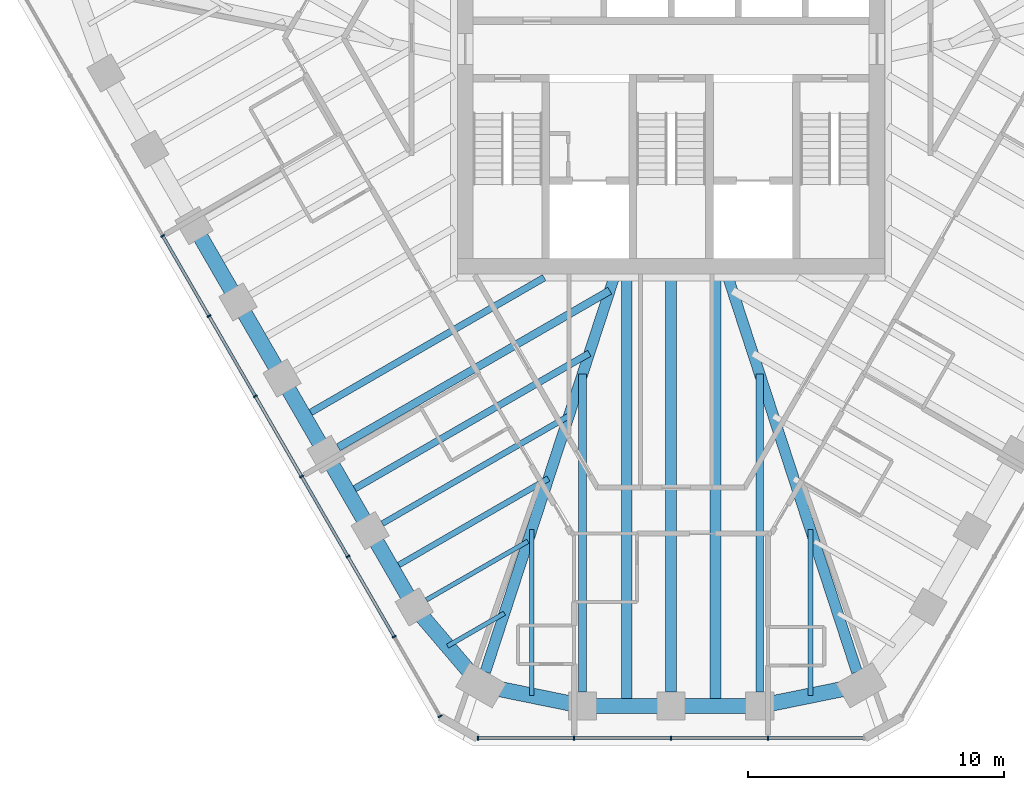
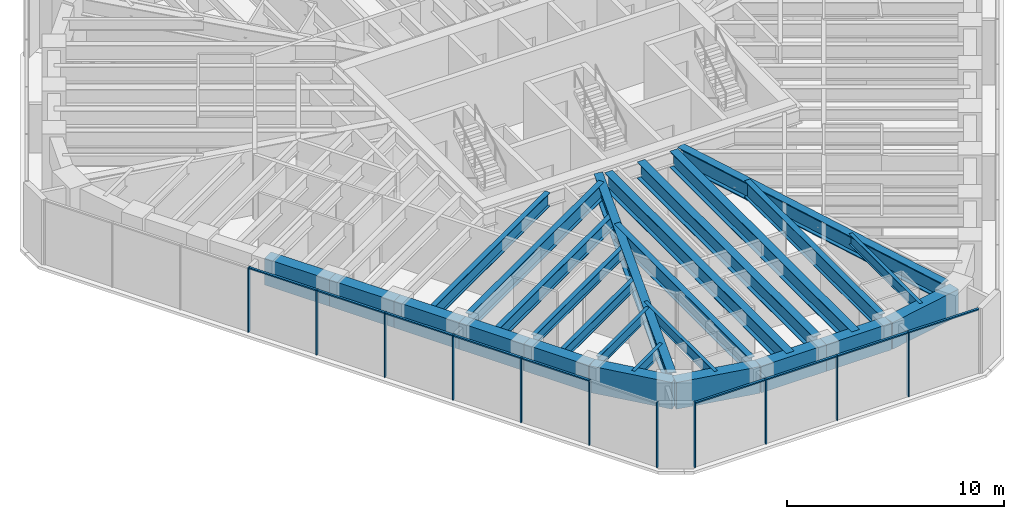
# One storey, part 2 of 14: 26 beams, 20 members, 2 elements without a shape of their own.
"""IFC4 building model written with IfcOpenShell, lengths in metres."""

from ifc_helpers import new_model, si_unit, direction, frame, origin, origin_2d, place, context, subcontext, project, spatial, rectangle, i_section, extrude, material, material_profile, profile_set, type_object, element, aggregate, save


model = new_model("IFC4")

# Units and contexts
model_context = context("Model", 3, precision=1e-05, world=origin(), true_north=direction((0.0, 1.0)))
body_context = subcontext(model_context, "Body", "Model", "MODEL_VIEW")
ifc_project = project(units=[si_unit("LENGTHUNIT", "METRE"), si_unit("AREAUNIT", "SQUARE_METRE"), si_unit("VOLUMEUNIT", "CUBIC_METRE"), si_unit("PLANEANGLEUNIT", "RADIAN"), si_unit("MASSUNIT", "GRAM", prefix="KILO")], contexts=[model_context])

# Site, building, storey
site_placement = place(None, origin())
site = spatial("IfcSite", under=ifc_project, at=site_placement, CompositionType="ELEMENT")
building_placement = place(site_placement, origin())
building = spatial("IfcBuilding", under=site, at=building_placement, Name="Sandreach Pilgrim Tower", CompositionType="ELEMENT")
storey_placement = place(building_placement, frame((0.0, 0.0, 295.0)))
storey = spatial("IfcBuildingStorey", under=building, at=storey_placement, Name="L74", CompositionType="ELEMENT", Elevation=295.0)

# Curtain wall, members
ifc_material_1 = material(Name="Aluminium framed curtain wall", Category="aluminium")
curtain_wall_type = type_object("IfcCurtainWallType", Name="Suite tower curtain wall", PredefinedType="NOTDEFINED", material=ifc_material_1)
curtain_wall_1_placement = place(storey_placement, origin())
curtain_wall_1 = element("IfcCurtainWall", 1, at=curtain_wall_1_placement, inside=storey, type_object=curtain_wall_type, Name="CW-4 L74 S", PredefinedType="NOTDEFINED")
ifc_material_2 = material(Name="Aluminium extrusion", Category="aluminium")
ifc_material_profile_1 = material_profile(ifc_material_2, rectangle(XDim=0.06005859375, YDim=0.159912109375, at=origin_2d()), Name="CW-4M 60X160")
ifc_profile_set_1 = profile_set([ifc_material_profile_1], Name="Aluminium extrusion")
member_type_1 = type_object("IfcMemberType", Name="CW-4 mullion", PredefinedType="MULLION", material=ifc_profile_set_1)
member_1_placement = place(storey_placement, frame((3.791748046875, -24.858154296875, 0.0), z_axis=(0.0, 0.0, 1.0), x_axis=(-1.0, 0.0, 0.0)))
member_1 = element("IfcMember", 2, at=member_1_placement, type_object=member_type_1, Name="CW-4 mullion 2", PredefinedType="MULLION", context=body_context, shape_type="SweptSolid", body=[
    extrude(rectangle(XDim=0.06005859375, YDim=0.159912109375, at=origin_2d()), origin(), (0.0, 0.0, 1.0), 3.639892578125),
])
member_2_placement = place(storey_placement, frame((0.0, -24.858154296875, 0.0), z_axis=(0.0, 0.0, 1.0), x_axis=(-1.0, 0.0, 0.0)))
member_2 = element("IfcMember", 3, at=member_2_placement, type_object=member_type_1, Name="CW-4 mullion 3", PredefinedType="MULLION", context=body_context, shape_type="SweptSolid", body=[
    extrude(rectangle(XDim=0.06005859375, YDim=0.159912109375, at=origin_2d()), origin(), (0.0, 0.0, 1.0), 3.639892578125),
])
member_3_placement = place(storey_placement, frame((-3.791748046875, -24.858154296875, 0.0), z_axis=(0.0, 0.0, 1.0), x_axis=(-1.0, 0.0, 0.0)))
member_3 = element("IfcMember", 4, at=member_3_placement, type_object=member_type_1, Name="CW-4 mullion 4", PredefinedType="MULLION", context=body_context, shape_type="SweptSolid", body=[
    extrude(rectangle(XDim=0.06005859375, YDim=0.159912109375, at=origin_2d()), origin(), (0.0, 0.0, 1.0), 3.639892578125),
])
member_4_placement = place(storey_placement, frame((-7.553466796875, -24.858154296875, 0.0), z_axis=(0.0, 0.0, 1.0), x_axis=(-1.0, 0.0, 0.0)))
member_4 = element("IfcMember", 5, at=member_4_placement, type_object=member_type_1, Name="CW-4 mullion 5", PredefinedType="MULLION", context=body_context, shape_type="SweptSolid", body=[
    extrude(rectangle(XDim=0.06005859375, YDim=0.159912109375, at=origin_2d()), origin(), (0.0, 0.0, 1.0), 3.639892578125),
])

curtain_wall_2_placement = place(storey_placement, origin())
curtain_wall_2 = element("IfcCurtainWall", 6, at=curtain_wall_2_placement, inside=storey, type_object=curtain_wall_type, Name="CW-4 L74 SW", PredefinedType="NOTDEFINED")
member_5_placement = place(storey_placement, frame((-9.035888671875, -24.001953125, 0.0), z_axis=(0.0, 0.0, 1.0), x_axis=(-0.5, 0.866025403784, 0.0)))
member_5 = element("IfcMember", 7, at=member_5_placement, type_object=member_type_1, Name="CW-4 mullion 1", PredefinedType="MULLION", context=body_context, shape_type="SweptSolid", body=[
    extrude(rectangle(XDim=0.06005859375, YDim=0.159912109375, at=origin_2d()), origin(), (0.0, 0.0, 1.0), 3.639892578125),
])
member_6_placement = place(storey_placement, frame((-10.83203125, -20.891357421875, 0.0), z_axis=(0.0, 0.0, 1.0), x_axis=(-0.5, 0.866025403784, 0.0)))
member_6 = element("IfcMember", 8, at=member_6_placement, type_object=member_type_1, Name="CW-4 mullion 2", PredefinedType="MULLION", context=body_context, shape_type="SweptSolid", body=[
    extrude(rectangle(XDim=0.06005859375, YDim=0.159912109375, at=origin_2d()), origin(), (0.0, 0.0, 1.0), 3.639892578125),
])
member_7_placement = place(storey_placement, frame((-12.642822265625, -17.7548828125, 0.0), z_axis=(0.0, 0.0, 1.0), x_axis=(-0.5, 0.866025403784, 0.0)))
member_7 = element("IfcMember", 9, at=member_7_placement, type_object=member_type_1, Name="CW-4 mullion 3", PredefinedType="MULLION", context=body_context, shape_type="SweptSolid", body=[
    extrude(rectangle(XDim=0.06005859375, YDim=0.159912109375, at=origin_2d()), origin(), (0.0, 0.0, 1.0), 3.639892578125),
])
member_8_placement = place(storey_placement, frame((-14.453857421875, -14.6181640625, 0.0), z_axis=(0.0, 0.0, 1.0), x_axis=(-0.5, 0.866025403784, 0.0)))
member_8 = element("IfcMember", 10, at=member_8_placement, type_object=member_type_1, Name="CW-4 mullion 4", PredefinedType="MULLION", context=body_context, shape_type="SweptSolid", body=[
    extrude(rectangle(XDim=0.06005859375, YDim=0.159912109375, at=origin_2d()), origin(), (0.0, 0.0, 1.0), 3.639892578125),
])
member_9_placement = place(storey_placement, frame((-16.2646484375, -11.4814453125, 0.0), z_axis=(0.0, 0.0, 1.0), x_axis=(-0.5, 0.866025403784, 0.0)))
member_9 = element("IfcMember", 11, at=member_9_placement, type_object=member_type_1, Name="CW-4 mullion 5", PredefinedType="MULLION", context=body_context, shape_type="SweptSolid", body=[
    extrude(rectangle(XDim=0.06005859375, YDim=0.159912109375, at=origin_2d()), origin(), (0.0, 0.0, 1.0), 3.639892578125),
])
member_10_placement = place(storey_placement, frame((-18.07568359375, -8.344970703125, 0.0), z_axis=(0.0, 0.0, 1.0), x_axis=(-0.5, 0.866025403784, 0.0)))
member_10 = element("IfcMember", 12, at=member_10_placement, type_object=member_type_1, Name="CW-4 mullion 6", PredefinedType="MULLION", context=body_context, shape_type="SweptSolid", body=[
    extrude(rectangle(XDim=0.06005859375, YDim=0.159912109375, at=origin_2d()), origin(), (0.0, 0.0, 1.0), 3.639892578125),
])
member_11_placement = place(storey_placement, frame((-19.886474609375, -5.208251953125, 0.0), z_axis=(0.0, 0.0, 1.0), x_axis=(-0.5, 0.866025403784, 0.0)))
member_11 = element("IfcMember", 13, at=member_11_placement, type_object=member_type_1, Name="CW-4 mullion 7", PredefinedType="MULLION", context=body_context, shape_type="SweptSolid", body=[
    extrude(rectangle(XDim=0.06005859375, YDim=0.159912109375, at=origin_2d()), origin(), (0.0, 0.0, 1.0), 3.639892578125),
])

# Member
ifc_material_3 = material(Name="Aluminium extrusion", Category="aluminium")
ifc_material_profile_2 = material_profile(ifc_material_3, rectangle(XDim=0.1201171875, YDim=0.070068359375, at=origin_2d()), Name="CW-4T 120X70")
ifc_profile_set_2 = profile_set([ifc_material_profile_2], Name="Aluminium extrusion")
member_type_2 = type_object("IfcMemberType", Name="CW-4 transom", PredefinedType="USERDEFINED", material=ifc_profile_set_2)
member_12_placement = place(storey_placement, frame((7.5234375, -24.858154296875, 3.60498046875), z_axis=(-1.0, 0.0, 0.0), x_axis=(0.0, -1.0, 0.0)))
member_12 = element("IfcMember", 14, at=member_12_placement, type_object=member_type_2, Name="CW-4 head transom 1", ObjectType="TRANSOM", PredefinedType="USERDEFINED", context=body_context, shape_type="SweptSolid", body=[
    extrude(rectangle(XDim=0.1201171875, YDim=0.070068359375, at=origin_2d()), origin(), (0.0, 0.0, 1.0), 3.70166015625),
])

member_13_placement = place(storey_placement, frame((3.76171875, -24.858154296875, 3.60498046875), z_axis=(-1.0, 0.0, 0.0), x_axis=(0.0, -1.0, 0.0)))
member_13 = element("IfcMember", 15, at=member_13_placement, type_object=member_type_2, Name="CW-4 head transom 2", ObjectType="TRANSOM", PredefinedType="USERDEFINED", context=body_context, shape_type="SweptSolid", body=[
    extrude(rectangle(XDim=0.1201171875, YDim=0.070068359375, at=origin_2d()), origin(), (0.0, 0.0, 1.0), 3.731689453125),
])

member_14_placement = place(storey_placement, frame((-0.030029296875, -24.858154296875, 3.60498046875), z_axis=(-1.0, 0.0, 0.0), x_axis=(0.0, -1.0, 0.0)))
member_14 = element("IfcMember", 16, at=member_14_placement, type_object=member_type_2, Name="CW-4 head transom 3", ObjectType="TRANSOM", PredefinedType="USERDEFINED", context=body_context, shape_type="SweptSolid", body=[
    extrude(rectangle(XDim=0.1201171875, YDim=0.070068359375, at=origin_2d()), origin(), (0.0, 0.0, 1.0), 3.731689453125),
])

member_15_placement = place(storey_placement, frame((-3.82177734375, -24.858154296875, 3.60498046875), z_axis=(-1.0, 0.0, 0.0), x_axis=(0.0, -1.0, 0.0)))
member_15 = element("IfcMember", 17, at=member_15_placement, type_object=member_type_2, Name="CW-4 head transom 4", ObjectType="TRANSOM", PredefinedType="USERDEFINED", context=body_context, shape_type="SweptSolid", body=[
    extrude(rectangle(XDim=0.1201171875, YDim=0.070068359375, at=origin_2d()), origin(), (0.0, 0.0, 1.0), 3.70166015625),
])

aggregate(curtain_wall_1, [member_1, member_2, member_3, member_4, member_12, member_13, member_14, member_15])

member_16_placement = place(storey_placement, frame((-10.846923828125, -20.865478515625, 3.60498046875), z_axis=(-0.500009219579, 0.866020080793, 0.0), x_axis=(-0.866020080793, -0.500009219579, 0.0)))
member_16 = element("IfcMember", 18, at=member_16_placement, type_object=member_type_2, Name="CW-4 head transom 2", ObjectType="TRANSOM", PredefinedType="USERDEFINED", context=body_context, shape_type="SweptSolid", body=[
    extrude(rectangle(XDim=0.1201171875, YDim=0.070068359375, at=origin_2d()), origin(), (0.0, 0.0, 1.0), 3.56201171875),
])

member_17_placement = place(storey_placement, frame((-12.657958984375, -17.728759765625, 3.60498046875), z_axis=(-0.499957811549, 0.866049759928, 0.0), x_axis=(-0.866049759928, -0.499957811549, 0.0)))
member_17 = element("IfcMember", 19, at=member_17_placement, type_object=member_type_2, Name="CW-4 head transom 3", ObjectType="TRANSOM", PredefinedType="USERDEFINED", context=body_context, shape_type="SweptSolid", body=[
    extrude(rectangle(XDim=0.1201171875, YDim=0.070068359375, at=origin_2d()), origin(), (0.0, 0.0, 1.0), 3.561767578125),
])

member_18_placement = place(storey_placement, frame((-14.46875, -14.59228515625, 3.60498046875), z_axis=(-0.500009219579, 0.866020080793, 0.0), x_axis=(-0.866020080793, -0.500009219579, 0.0)))
member_18 = element("IfcMember", 20, at=member_18_placement, type_object=member_type_2, Name="CW-4 head transom 4", ObjectType="TRANSOM", PredefinedType="USERDEFINED", context=body_context, shape_type="SweptSolid", body=[
    extrude(rectangle(XDim=0.1201171875, YDim=0.070068359375, at=origin_2d()), origin(), (0.0, 0.0, 1.0), 3.56201171875),
])

member_19_placement = place(storey_placement, frame((-16.27978515625, -11.45556640625, 3.60498046875), z_axis=(-0.499957811549, 0.866049759928, 0.0), x_axis=(-0.866049759928, -0.499957811549, 0.0)))
member_19 = element("IfcMember", 21, at=member_19_placement, type_object=member_type_2, Name="CW-4 head transom 5", ObjectType="TRANSOM", PredefinedType="USERDEFINED", context=body_context, shape_type="SweptSolid", body=[
    extrude(rectangle(XDim=0.1201171875, YDim=0.070068359375, at=origin_2d()), origin(), (0.0, 0.0, 1.0), 3.561767578125),
])

member_20_placement = place(storey_placement, frame((-18.090576171875, -8.31884765625, 3.60498046875), z_axis=(-0.500038900691, 0.866002943295, 0.0), x_axis=(-0.866002943295, -0.500038900691, 0.0)))
member_20 = element("IfcMember", 22, at=member_20_placement, type_object=member_type_2, Name="CW-4 head transom 6", ObjectType="TRANSOM", PredefinedType="USERDEFINED", context=body_context, shape_type="SweptSolid", body=[
    extrude(rectangle(XDim=0.1201171875, YDim=0.070068359375, at=origin_2d()), origin(), (0.0, 0.0, 1.0), 3.561767578125),
])

aggregate(curtain_wall_2, [member_5, member_6, member_7, member_8, member_9, member_10, member_11, member_16, member_17, member_18, member_19, member_20])

# Beams
ifc_material_4 = material(Name="Steel ASTM A992 Grade 50", Category="steel")
ifc_material_profile_3 = material_profile(ifc_material_4, i_section(OverallWidth=0.424072265625, OverallDepth=0.965087890625, WebThickness=0.028564453125, FlangeThickness=0.051025390625, at=origin_2d()), Name="W36X361")
ifc_profile_set_3 = profile_set([ifc_material_profile_3], Name="Steel ASTM A992 Grade 50")
beam_type_1 = type_object("IfcBeamType", Name="Corner girder W36X361", PredefinedType="BEAM", material=ifc_profile_set_3)
for number, where, z_axis, x_axis, name in (
    (23, (7.268310546875, -22.2666015625, 3.157470703125), (-0.310308570047, 0.950635887896, 0.0), (-0.950635887896, -0.310308570047, 0.0), "BM L74 CG22"),
    (24, (-7.268310546875, -22.2666015625, 3.157470703125), (0.310308570047, 0.950635887896, 0.0), (-0.950635887896, 0.310308570047, 0.0), "BM L74 CG26"),
):
    element("IfcBeam", number, at=place(storey_placement, frame(where, z_axis=z_axis, x_axis=x_axis)), inside=storey, type_object=beam_type_1, Name=name, PredefinedType="BEAM", context=body_context, shape_type="SweptSolid", body=[
        extrude(i_section(OverallWidth=0.424072265625, OverallDepth=0.965087890625, WebThickness=0.028564453125, FlangeThickness=0.051025390625, at=origin_2d()), origin(), (0.0, 0.0, 1.0), 16.375),
    ])
ifc_material_5 = material(Name="Steel ASTM A992 Grade 50", Category="steel")
ifc_material_profile_4 = material_profile(ifc_material_5, i_section(OverallWidth=0.1787109375, OverallDepth=0.60205078125, WebThickness=0.010986328125, FlangeThickness=0.014892578125, at=origin_2d()), Name="W24X62")
ifc_profile_set_4 = profile_set([ifc_material_profile_4], Name="Steel ASTM A992 Grade 50")
beam_type_2 = type_object("IfcBeamType", Name="Floor beam W24X62", PredefinedType="BEAM", material=ifc_profile_set_4)
beam_1_placement = place(storey_placement, frame((-9.573974609375, -19.450439453125, 3.339111328125), z_axis=(0.866024320471, 0.50000187635, 0.0), x_axis=(-0.50000187635, 0.866024320471, 0.0)))
element("IfcBeam", 25, at=beam_1_placement, inside=storey, type_object=beam_type_2, Name="BM L74 F27", PredefinedType="BEAM", context=body_context, shape_type="SweptSolid", body=[
    extrude(i_section(OverallWidth=0.1787109375, OverallDepth=0.60205078125, WebThickness=0.010986328125, FlangeThickness=0.014892578125, at=origin_2d()), origin(), (0.0, 0.0, 1.0), 4.58837890625),
])
for number, where, z_axis, x_axis, name in (
    (26, (5.452392578125, -23.19384765625, 3.339111328125), (0.0, 1.0, 0.0), (-1.0, 0.0, 0.0), "BM L74 FM22"),
    (27, (-5.452392578125, -23.19384765625, 3.339111328125), (0.0, 1.0, 0.0), (-1.0, 0.0, 0.0), "BM L74 FM25"),
):
    element("IfcBeam", number, at=place(storey_placement, frame(where, z_axis=z_axis, x_axis=x_axis)), inside=storey, type_object=beam_type_2, Name=name, PredefinedType="BEAM", context=body_context, shape_type="SweptSolid", body=[
        extrude(i_section(OverallWidth=0.1787109375, OverallDepth=0.60205078125, WebThickness=0.010986328125, FlangeThickness=0.014892578125, at=origin_2d()), origin(), (0.0, 0.0, 1.0), 6.49072265625),
    ])
beam_2_placement = place(storey_placement, frame((-8.74462890625, -21.25732421875, 3.339111328125), z_axis=(0.866041575714, 0.49997198835, 0.0), x_axis=(-0.49997198835, 0.866041575714, 0.0)))
element("IfcBeam", 28, at=beam_2_placement, inside=storey, type_object=beam_type_2, Name="BM L74 FM26", PredefinedType="BEAM", context=body_context, shape_type="SweptSolid", body=[
    extrude(i_section(OverallWidth=0.1787109375, OverallDepth=0.60205078125, WebThickness=0.010986328125, FlangeThickness=0.014892578125, at=origin_2d()), origin(), (0.0, 0.0, 1.0), 2.569091796875),
])
ifc_material_6 = material(Name="Steel ASTM A992 Grade 50", Category="steel")
ifc_material_profile_5 = material_profile(ifc_material_6, i_section(OverallWidth=0.23046875, OverallDepth=0.6171875, WebThickness=0.01318359375, FlangeThickness=0.022216796875, at=origin_2d()), Name="W24X94")
ifc_profile_set_5 = profile_set([ifc_material_profile_5], Name="Steel ASTM A992 Grade 50")
beam_type_3 = type_object("IfcBeamType", Name="Floor beam W24X94", PredefinedType="BEAM", material=ifc_profile_set_5)
beam_3_placement = place(storey_placement, frame((-11.29638671875, -16.466796875, 3.331298828125), z_axis=(0.866026819143, 0.499997548519, 0.0), x_axis=(-0.499997548519, 0.866026819143, 0.0)))
element("IfcBeam", 29, at=beam_3_placement, inside=storey, type_object=beam_type_3, Name="BM L74 F28", PredefinedType="BEAM", context=body_context, shape_type="SweptSolid", body=[
    extrude(i_section(OverallWidth=0.23046875, OverallDepth=0.6171875, WebThickness=0.01318359375, FlangeThickness=0.022216796875, at=origin_2d()), origin(), (0.0, 0.0, 1.0), 8.4248046875),
])
beam_4_placement = place(storey_placement, frame((-10.911376953125, -18.233642578125, 3.331298828125), z_axis=(0.866020229007, 0.50000896287, 0.0), x_axis=(-0.50000896287, 0.866020229007, 0.0)))
element("IfcBeam", 30, at=beam_4_placement, inside=storey, type_object=beam_type_3, Name="BM L74 FM27", PredefinedType="BEAM", context=body_context, shape_type="SweptSolid", body=[
    extrude(i_section(OverallWidth=0.23046875, OverallDepth=0.6171875, WebThickness=0.01318359375, FlangeThickness=0.022216796875, at=origin_2d()), origin(), (0.0, 0.0, 1.0), 7.056396484375),
])
ifc_material_7 = material(Name="Steel ASTM A992 Grade 50", Category="steel")
ifc_material_profile_6 = material_profile(ifc_material_7, i_section(OverallWidth=0.2666015625, OverallDepth=0.77978515625, WebThickness=0.0166015625, FlangeThickness=0.030029296875, at=origin_2d()), Name="W30X148")
ifc_profile_set_6 = profile_set([ifc_material_profile_6], Name="Steel ASTM A992 Grade 50")
beam_type_4 = type_object("IfcBeamType", Name="Floor beam W30X148", PredefinedType="BEAM", material=ifc_profile_set_6)
beam_5_placement = place(storey_placement, frame((-12.634033203125, -15.250244140625, 3.25), z_axis=(0.866019500887, 0.500010223979, 0.0), x_axis=(-0.500010223979, 0.866019500887, 0.0)))
element("IfcBeam", 31, at=beam_5_placement, inside=storey, type_object=beam_type_4, Name="BM L74 FM28", PredefinedType="BEAM", context=body_context, shape_type="SweptSolid", body=[
    extrude(i_section(OverallWidth=0.2666015625, OverallDepth=0.77978515625, WebThickness=0.0166015625, FlangeThickness=0.030029296875, at=origin_2d()), origin(), (0.0, 0.0, 1.0), 10.893310546875),
])
beam_6_placement = place(storey_placement, frame((-14.3564453125, -12.2666015625, 3.25), z_axis=(0.866026660645, 0.499997823047, 0.0), x_axis=(-0.499997823047, 0.866026660645, 0.0)))
element("IfcBeam", 32, at=beam_6_placement, inside=storey, type_object=beam_type_4, Name="BM L74 FM29", PredefinedType="BEAM", context=body_context, shape_type="SweptSolid", body=[
    extrude(i_section(OverallWidth=0.2666015625, OverallDepth=0.77978515625, WebThickness=0.0166015625, FlangeThickness=0.030029296875, at=origin_2d()), origin(), (0.0, 0.0, 1.0), 10.8466796875),
])
ifc_material_8 = material(Name="Steel ASTM A992 Grade 50", Category="steel")
ifc_material_profile_7 = material_profile(ifc_material_8, i_section(OverallWidth=0.3046875, OverallDepth=0.914306640625, WebThickness=0.0166015625, FlangeThickness=0.02587890625, at=origin_2d()), Name="W36X160")
ifc_profile_set_7 = profile_set([ifc_material_profile_7], Name="Steel ASTM A992 Grade 50")
beam_type_5 = type_object("IfcBeamType", Name="Floor beam W36X160", PredefinedType="BEAM", material=ifc_profile_set_7)
for number, where, z_axis, x_axis, name in (
    (33, (3.465576171875, -23.048095703125, 3.182861328125), (0.0, 1.0, 0.0), (-1.0, 0.0, 0.0), "BM L74 F23"),
    (34, (-3.465576171875, -23.048095703125, 3.182861328125), (0.0, 1.0, 0.0), (-1.0, 0.0, 0.0), "BM L74 F25"),
):
    element("IfcBeam", number, at=place(storey_placement, frame(where, z_axis=z_axis, x_axis=x_axis)), inside=storey, type_object=beam_type_5, Name=name, PredefinedType="BEAM", context=body_context, shape_type="SweptSolid", body=[
        extrude(i_section(OverallWidth=0.3046875, OverallDepth=0.914306640625, WebThickness=0.0166015625, FlangeThickness=0.02587890625, at=origin_2d()), origin(), (0.0, 0.0, 1.0), 12.431396484375),
    ])
beam_7_placement = place(storey_placement, frame((-13.018798828125, -13.4833984375, 3.182861328125), z_axis=(0.866019132277, 0.500010862412, 0.0), x_axis=(-0.500010862412, 0.866019132277, 0.0)))
element("IfcBeam", 35, at=beam_7_placement, inside=storey, type_object=beam_type_5, Name="BM L74 F29", PredefinedType="BEAM", context=body_context, shape_type="SweptSolid", body=[
    extrude(i_section(OverallWidth=0.3046875, OverallDepth=0.914306640625, WebThickness=0.0166015625, FlangeThickness=0.02587890625, at=origin_2d()), origin(), (0.0, 0.0, 1.0), 12.261474609375),
])
ifc_material_9 = material(Name="Steel ASTM A992 Grade 50", Category="steel")
ifc_material_profile_8 = material_profile(ifc_material_9, i_section(OverallWidth=0.419189453125, OverallDepth=0.927001953125, WebThickness=0.019287109375, FlangeThickness=0.031982421875, at=origin_2d()), Name="W36X231")
ifc_profile_set_8 = profile_set([ifc_material_profile_8], Name="Steel ASTM A992 Grade 50")
beam_type_6 = type_object("IfcBeamType", Name="Floor beam W36X231", PredefinedType="BEAM", material=ifc_profile_set_8)
beam_8_placement = place(storey_placement, frame((0.0, -23.048095703125, 3.176513671875), z_axis=(0.0, 1.0, 0.0), x_axis=(-1.0, 0.0, 0.0)))
element("IfcBeam", 36, at=beam_8_placement, inside=storey, type_object=beam_type_6, Name="BM L74 F24", PredefinedType="BEAM", context=body_context, shape_type="SweptSolid", body=[
    extrude(i_section(OverallWidth=0.419189453125, OverallDepth=0.927001953125, WebThickness=0.019287109375, FlangeThickness=0.031982421875, at=origin_2d()), origin(), (0.0, 0.0, 1.0), 16.204833984375),
])
for number, where, z_axis, x_axis, name in (
    (37, (1.732666015625, -23.59814453125, 3.176513671875), (0.0, 1.0, 0.0), (-1.0, 0.0, 0.0), "BM L74 FM23"),
    (38, (-1.732666015625, -23.59814453125, 3.176513671875), (0.0, 1.0, 0.0), (-1.0, 0.0, 0.0), "BM L74 FM24"),
):
    element("IfcBeam", number, at=place(storey_placement, frame(where, z_axis=z_axis, x_axis=x_axis)), inside=storey, type_object=beam_type_6, Name=name, PredefinedType="BEAM", context=body_context, shape_type="SweptSolid", body=[
        extrude(i_section(OverallWidth=0.419189453125, OverallDepth=0.927001953125, WebThickness=0.019287109375, FlangeThickness=0.031982421875, at=origin_2d()), origin(), (0.0, 0.0, 1.0), 16.7548828125),
    ])
ifc_material_10 = material(Name="Concrete 10000 psi", Category="concrete")
ifc_material_profile_9 = material_profile(ifc_material_10, rectangle(XDim=0.60009765625, YDim=1.5, at=origin_2d()), Name="RC600X1500")
ifc_profile_set_9 = profile_set([ifc_material_profile_9], Name="Concrete 10000 psi")
beam_type_7 = type_object("IfcBeamType", Name="Spandrel beam RC600X1500", PredefinedType="SPANDREL", material=ifc_profile_set_9)
beam_9_placement = place(storey_placement, frame((7.439208984375, -22.78955078125, 2.889892578125), z_axis=(-0.979917524616, -0.199403222016, 0.0), x_axis=(0.199403222016, -0.979917524616, 0.0)))
element("IfcBeam", 39, at=beam_9_placement, inside=storey, type_object=beam_type_7, Name="BM L74 SP22", PredefinedType="SPANDREL", context=body_context, shape_type="SweptSolid", body=[
    extrude(rectangle(XDim=0.60009765625, YDim=1.5, at=origin_2d()), origin(), (0.0, 0.0, 1.0), 4.05517578125),
])
for number, where, z_axis, x_axis, name in (
    (40, (3.465576171875, -23.59814453125, 2.889892578125), (-1.0, 0.0, 0.0), (0.0, -1.0, 0.0), "BM L74 SP23"),
    (41, (0.0, -23.59814453125, 2.889892578125), (-1.0, 0.0, 0.0), (0.0, -1.0, 0.0), "BM L74 SP24"),
):
    element("IfcBeam", number, at=place(storey_placement, frame(where, z_axis=z_axis, x_axis=x_axis)), inside=storey, type_object=beam_type_7, Name=name, PredefinedType="SPANDREL", context=body_context, shape_type="SweptSolid", body=[
        extrude(rectangle(XDim=0.60009765625, YDim=1.5, at=origin_2d()), origin(), (0.0, 0.0, 1.0), 3.465576171875),
    ])
beam_10_placement = place(storey_placement, frame((-3.465576171875, -23.59814453125, 2.889892578125), z_axis=(-0.979917524616, 0.199403222016, 0.0), x_axis=(-0.199403222016, -0.979917524616, 0.0)))
element("IfcBeam", 42, at=beam_10_placement, inside=storey, type_object=beam_type_7, Name="BM L74 SP25", PredefinedType="SPANDREL", context=body_context, shape_type="SweptSolid", body=[
    extrude(rectangle(XDim=0.60009765625, YDim=1.5, at=origin_2d()), origin(), (0.0, 0.0, 1.0), 4.05517578125),
])
beam_11_placement = place(storey_placement, frame((-7.439208984375, -22.78955078125, 2.889892578125), z_axis=(-0.648586192707, 0.761141215958, 0.0), x_axis=(-0.761141215958, -0.648586192707, 0.0)))
element("IfcBeam", 43, at=beam_11_placement, inside=storey, type_object=beam_type_7, Name="BM L74 SP26", PredefinedType="SPANDREL", context=body_context, shape_type="SweptSolid", body=[
    extrude(rectangle(XDim=0.60009765625, YDim=1.5, at=origin_2d()), origin(), (0.0, 0.0, 1.0), 4.02587890625),
])
for number, where, z_axis, x_axis, name in (
    (44, (-10.05029296875, -19.725341796875, 2.889892578125), (-0.499988291006, 0.866032163869, 0.0), (-0.866032163869, -0.499988291006, 0.0), "BM L74 SP27"),
    (45, (-11.772705078125, -16.741943359375, 2.889892578125), (-0.499988291006, 0.866032163869, 0.0), (-0.866032163869, -0.499988291006, 0.0), "BM L74 SP28"),
):
    element("IfcBeam", number, at=place(storey_placement, frame(where, z_axis=z_axis, x_axis=x_axis)), inside=storey, type_object=beam_type_7, Name=name, PredefinedType="SPANDREL", context=body_context, shape_type="SweptSolid", body=[
        extrude(rectangle(XDim=0.60009765625, YDim=1.5, at=origin_2d()), origin(), (0.0, 0.0, 1.0), 3.44482421875),
    ])
beam_12_placement = place(storey_placement, frame((-13.4951171875, -13.758544921875, 2.889892578125), z_axis=(-0.500010754882, 0.866019194361, 0.0), x_axis=(-0.866019194361, -0.500010754882, 0.0)))
element("IfcBeam", 46, at=beam_12_placement, inside=storey, type_object=beam_type_7, Name="BM L74 SP29", PredefinedType="SPANDREL", context=body_context, shape_type="SweptSolid", body=[
    extrude(rectangle(XDim=0.60009765625, YDim=1.5, at=origin_2d()), origin(), (0.0, 0.0, 1.0), 3.4453125),
])
beam_13_placement = place(storey_placement, frame((-15.2177734375, -10.77490234375, 2.889892578125), z_axis=(-0.499988291006, 0.866032163869, 0.0), x_axis=(-0.866032163869, -0.499988291006, 0.0)))
element("IfcBeam", 47, at=beam_13_placement, inside=storey, type_object=beam_type_7, Name="BM L74 SP30", PredefinedType="SPANDREL", context=body_context, shape_type="SweptSolid", body=[
    extrude(rectangle(XDim=0.60009765625, YDim=1.5, at=origin_2d()), origin(), (0.0, 0.0, 1.0), 3.44482421875),
])
beam_14_placement = place(storey_placement, frame((-16.940185546875, -7.79150390625, 2.889892578125), z_axis=(-0.500041441558, 0.866001476168, 0.0), x_axis=(-0.866001476168, -0.500041441558, 0.0)))
element("IfcBeam", 48, at=beam_14_placement, inside=storey, type_object=beam_type_7, Name="BM L74 SP31", PredefinedType="SPANDREL", context=body_context, shape_type="SweptSolid", body=[
    extrude(rectangle(XDim=0.60009765625, YDim=1.5, at=origin_2d()), origin(), (0.0, 0.0, 1.0), 3.445068359375),
])

save(model, "model.ifc")
